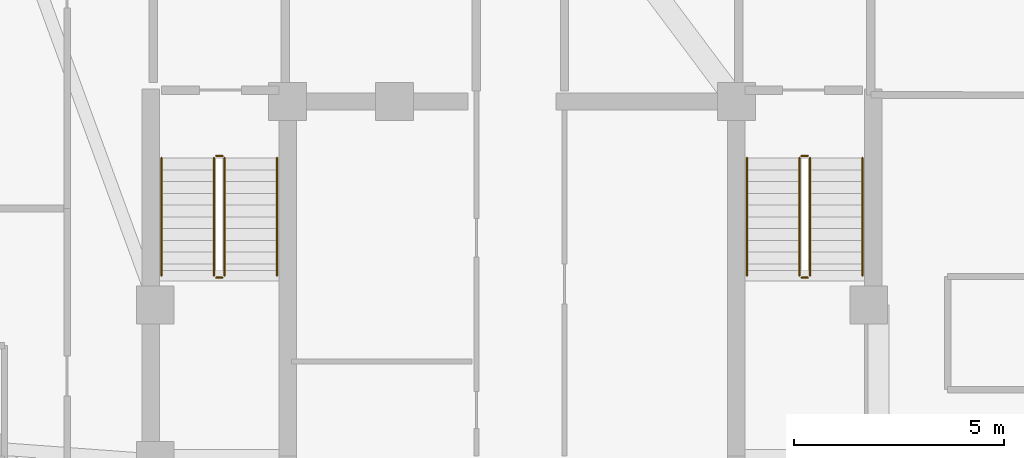
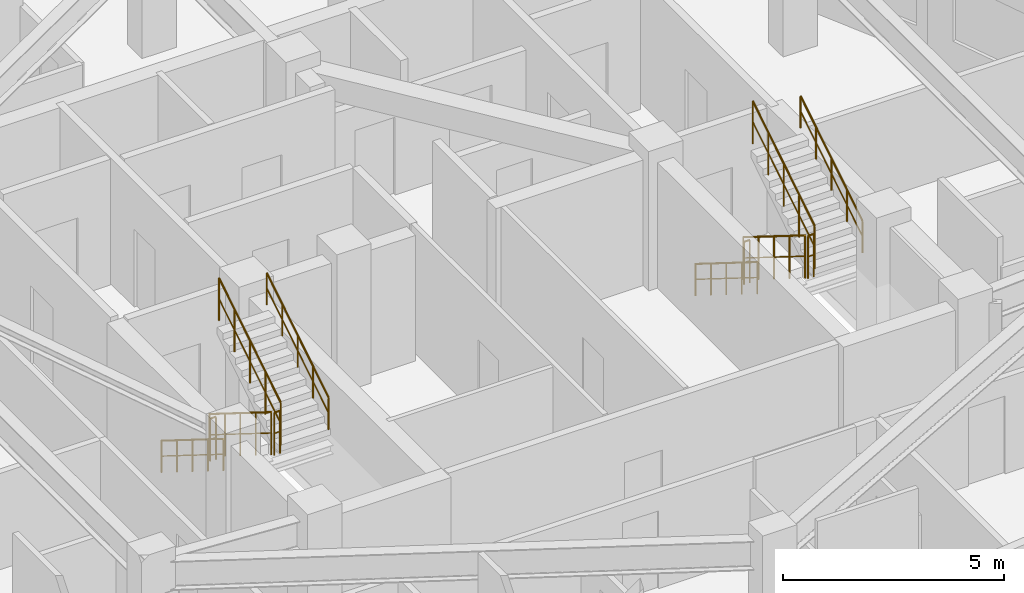
# One storey, part 10 of 10: 12 railings.
"""IFC4 building model written with IfcOpenShell, lengths in metres."""

from ifc_helpers import new_model, si_unit, direction, frame, origin, origin_2d, place, context, subcontext, project, spatial, circle, extrude, material, type_object, element, save


model = new_model("IFC4")

# Units and contexts
model_context = context("Model", 3, precision=1e-05, world=origin(), true_north=direction((0.0, 1.0)))
body_context = subcontext(model_context, "Body", "Model", "MODEL_VIEW")
ifc_project = project(units=[si_unit("LENGTHUNIT", "METRE"), si_unit("AREAUNIT", "SQUARE_METRE"), si_unit("VOLUMEUNIT", "CUBIC_METRE"), si_unit("PLANEANGLEUNIT", "RADIAN"), si_unit("MASSUNIT", "GRAM", prefix="KILO")], contexts=[model_context])

# Site, building, storey
site_placement = place(None, origin())
site = spatial("IfcSite", under=ifc_project, at=site_placement, CompositionType="ELEMENT")
building_placement = place(site_placement, origin())
building = spatial("IfcBuilding", under=site, at=building_placement, Name="Miruveldt Soraemaru", CompositionType="ELEMENT")
storey_placement = place(building_placement, frame((0.0, 0.0, 278.949951171875)))
storey = spatial("IfcBuildingStorey", under=building, at=storey_placement, Name="L76", CompositionType="ELEMENT", Elevation=278.949951171875)

# Railings
ifc_material = material(Name="Steel S355 (355 MPa)", Category="steel")
railing_type_1 = type_object("IfcRailingType", Name="RAIL-HR-900", PredefinedType="HANDRAIL", material=ifc_material)
railing_1_placement = place(storey_placement, frame((35.64990234375, 42.699951171875, 0.175048828125)))
element("IfcRailing", 1, at=railing_1_placement, inside=storey, type_object=railing_type_1, Name="L76 ST-1 stair handrail 1", PredefinedType="HANDRAIL", context=body_context, shape_type="SweptSolid", body=[
    extrude(circle(Radius=0.02392578125, at=origin_2d()), frame((0.0, 0.0, 0.8759765625), z_axis=(0.0, -0.848002457836, 0.529992293815), x_axis=(1.0, 0.0, 0.0)), (0.0, 0.0, 1.0), 3.302001953125),
    extrude(circle(Radius=0.01611328125, at=origin_2d()), frame((0.0, 0.0, 0.449951171875), z_axis=(0.0, -0.848002457836, 0.529992293815), x_axis=(1.0, 0.0, 0.0)), (0.0, 0.0, 1.0), 3.302001953125),
    extrude(circle(Radius=0.02099609375, at=origin_2d()), origin(), (0.0, 0.0, 1.0), 0.851806640625),
    extrude(circle(Radius=0.02099609375, at=origin_2d()), frame((0.0, -0.699951171875, 0.4375)), (0.0, 0.0, 1.0), 0.851806640625),
    extrude(circle(Radius=0.02099609375, at=origin_2d()), frame((0.0, -1.39990234375, 0.875)), (0.0, 0.0, 1.0), 0.851806640625),
    extrude(circle(Radius=0.02099609375, at=origin_2d()), frame((0.0, -2.10009765625, 1.3125)), (0.0, 0.0, 1.0), 0.851806640625),
    extrude(circle(Radius=0.02099609375, at=origin_2d()), frame((0.0, -2.800048828125, 1.75)), (0.0, 0.0, 1.0), 0.851806640625),
])
railing_2_placement = place(storey_placement, frame((38.39990234375, 39.89990234375, 2.10009765625)))
element("IfcRailing", 2, at=railing_2_placement, inside=storey, type_object=railing_type_1, Name="L76 ST-1 stair handrail 2", PredefinedType="HANDRAIL", context=body_context, shape_type="SweptSolid", body=[
    extrude(circle(Radius=0.02392578125, at=origin_2d()), frame((0.0, 0.0, 0.8759765625), z_axis=(0.0, 0.848002457836, 0.529992293815), x_axis=(-1.0, 0.0, 0.0)), (0.0, 0.0, 1.0), 3.302001953125),
    extrude(circle(Radius=0.01611328125, at=origin_2d()), frame((0.0, 0.0, 0.449951171875), z_axis=(0.0, 0.848002457836, 0.529992293815), x_axis=(-1.0, 0.0, 0.0)), (0.0, 0.0, 1.0), 3.302001953125),
    extrude(circle(Radius=0.02099609375, at=origin_2d()), origin(), (0.0, 0.0, 1.0), 0.851806640625),
    extrude(circle(Radius=0.02099609375, at=origin_2d()), frame((0.0, 0.699951171875, 0.4375)), (0.0, 0.0, 1.0), 0.851806640625),
    extrude(circle(Radius=0.02099609375, at=origin_2d()), frame((0.0, 1.39990234375, 0.875)), (0.0, 0.0, 1.0), 0.851806640625),
    extrude(circle(Radius=0.02099609375, at=origin_2d()), frame((0.0, 2.10009765625, 1.3125)), (0.0, 0.0, 1.0), 0.851806640625),
    extrude(circle(Radius=0.02099609375, at=origin_2d()), frame((0.0, 2.800048828125, 1.75)), (0.0, 0.0, 1.0), 0.851806640625),
])
railing_3_placement = place(storey_placement, frame((49.60009765625, 42.699951171875, 0.175048828125)))
element("IfcRailing", 3, at=railing_3_placement, inside=storey, type_object=railing_type_1, Name="L76 ST-2 stair handrail 1", PredefinedType="HANDRAIL", context=body_context, shape_type="SweptSolid", body=[
    extrude(circle(Radius=0.02392578125, at=origin_2d()), frame((0.0, 0.0, 0.8759765625), z_axis=(0.0, -0.848002457836, 0.529992293815), x_axis=(1.0, 0.0, 0.0)), (0.0, 0.0, 1.0), 3.302001953125),
    extrude(circle(Radius=0.01611328125, at=origin_2d()), frame((0.0, 0.0, 0.449951171875), z_axis=(0.0, -0.848002457836, 0.529992293815), x_axis=(1.0, 0.0, 0.0)), (0.0, 0.0, 1.0), 3.302001953125),
    extrude(circle(Radius=0.02099609375, at=origin_2d()), origin(), (0.0, 0.0, 1.0), 0.851806640625),
    extrude(circle(Radius=0.02099609375, at=origin_2d()), frame((0.0, -0.699951171875, 0.4375)), (0.0, 0.0, 1.0), 0.851806640625),
    extrude(circle(Radius=0.02099609375, at=origin_2d()), frame((0.0, -1.39990234375, 0.875)), (0.0, 0.0, 1.0), 0.851806640625),
    extrude(circle(Radius=0.02099609375, at=origin_2d()), frame((0.0, -2.10009765625, 1.3125)), (0.0, 0.0, 1.0), 0.851806640625),
    extrude(circle(Radius=0.02099609375, at=origin_2d()), frame((0.0, -2.800048828125, 1.75)), (0.0, 0.0, 1.0), 0.851806640625),
])
railing_4_placement = place(storey_placement, frame((52.35009765625, 39.89990234375, 2.10009765625)))
element("IfcRailing", 4, at=railing_4_placement, inside=storey, type_object=railing_type_1, Name="L76 ST-2 stair handrail 2", PredefinedType="HANDRAIL", context=body_context, shape_type="SweptSolid", body=[
    extrude(circle(Radius=0.02392578125, at=origin_2d()), frame((0.0, 0.0, 0.8759765625), z_axis=(0.0, 0.848002457836, 0.529992293815), x_axis=(-1.0, 0.0, 0.0)), (0.0, 0.0, 1.0), 3.302001953125),
    extrude(circle(Radius=0.01611328125, at=origin_2d()), frame((0.0, 0.0, 0.449951171875), z_axis=(0.0, 0.848002457836, 0.529992293815), x_axis=(-1.0, 0.0, 0.0)), (0.0, 0.0, 1.0), 3.302001953125),
    extrude(circle(Radius=0.02099609375, at=origin_2d()), origin(), (0.0, 0.0, 1.0), 0.851806640625),
    extrude(circle(Radius=0.02099609375, at=origin_2d()), frame((0.0, 0.699951171875, 0.4375)), (0.0, 0.0, 1.0), 0.851806640625),
    extrude(circle(Radius=0.02099609375, at=origin_2d()), frame((0.0, 1.39990234375, 0.875)), (0.0, 0.0, 1.0), 0.851806640625),
    extrude(circle(Radius=0.02099609375, at=origin_2d()), frame((0.0, 2.10009765625, 1.3125)), (0.0, 0.0, 1.0), 0.851806640625),
    extrude(circle(Radius=0.02099609375, at=origin_2d()), frame((0.0, 2.800048828125, 1.75)), (0.0, 0.0, 1.0), 0.851806640625),
])
railing_type_2 = type_object("IfcRailingType", Name="RAIL-STGUARD-1200", PredefinedType="GUARDRAIL", material=ifc_material)
railing_5_placement = place(storey_placement, frame((36.89990234375, 42.699951171875, 0.175048828125)))
element("IfcRailing", 5, at=railing_5_placement, inside=storey, type_object=railing_type_2, Name="L76 ST-1 stair guard 1", PredefinedType="GUARDRAIL", context=body_context, shape_type="SweptSolid", body=[
    extrude(circle(Radius=0.02392578125, at=origin_2d()), frame((0.0, 0.0, 1.17578125), z_axis=(0.0, -0.848002457836, 0.529992293815), x_axis=(1.0, 0.0, 0.0)), (0.0, 0.0, 1.0), 3.302001953125),
    extrude(circle(Radius=0.01611328125, at=origin_2d()), frame((0.0, 0.0, 0.60009765625), z_axis=(0.0, -0.848002457836, 0.529992293815), x_axis=(1.0, 0.0, 0.0)), (0.0, 0.0, 1.0), 3.302001953125),
    extrude(circle(Radius=0.02099609375, at=origin_2d()), origin(), (0.0, 0.0, 1.0), 1.15185546875),
    extrude(circle(Radius=0.02099609375, at=origin_2d()), frame((0.0, -0.699951171875, 0.4375)), (0.0, 0.0, 1.0), 1.15185546875),
    extrude(circle(Radius=0.02099609375, at=origin_2d()), frame((0.0, -1.39990234375, 0.875)), (0.0, 0.0, 1.0), 1.15185546875),
    extrude(circle(Radius=0.02099609375, at=origin_2d()), frame((0.0, -2.10009765625, 1.3125)), (0.0, 0.0, 1.0), 1.15185546875),
    extrude(circle(Radius=0.02099609375, at=origin_2d()), frame((0.0, -2.800048828125, 1.75)), (0.0, 0.0, 1.0), 1.15185546875),
])
railing_6_placement = place(storey_placement, frame((36.949951171875, 39.85009765625, 1.925048828125)))
element("IfcRailing", 6, at=railing_6_placement, inside=storey, type_object=railing_type_2, Name="L76 ST-1 stair guard 2", PredefinedType="GUARDRAIL", context=body_context, shape_type="SweptSolid", body=[
    extrude(circle(Radius=0.02392578125, at=origin_2d()), frame((0.0, 0.0, 1.17578125), z_axis=(1.0, 0.0, 0.0), x_axis=(0.0, 1.0, 0.0)), (0.0, 0.0, 1.0), 0.150146484375),
    extrude(circle(Radius=0.01611328125, at=origin_2d()), frame((0.0, 0.0, 0.60009765625), z_axis=(1.0, 0.0, 0.0), x_axis=(0.0, 1.0, 0.0)), (0.0, 0.0, 1.0), 0.150146484375),
    extrude(circle(Radius=0.02099609375, at=origin_2d()), origin(), (0.0, 0.0, 1.0), 1.15185546875),
    extrude(circle(Radius=0.02099609375, at=origin_2d()), frame((0.150146484375, 0.0, 0.0)), (0.0, 0.0, 1.0), 1.15185546875),
])
railing_7_placement = place(storey_placement, frame((37.14990234375, 39.89990234375, 2.10009765625)))
element("IfcRailing", 7, at=railing_7_placement, inside=storey, type_object=railing_type_2, Name="L76 ST-1 stair guard 3", PredefinedType="GUARDRAIL", context=body_context, shape_type="SweptSolid", body=[
    extrude(circle(Radius=0.02392578125, at=origin_2d()), frame((0.0, 0.0, 1.17578125), z_axis=(0.0, 0.848002457836, 0.529992293815), x_axis=(-1.0, 0.0, 0.0)), (0.0, 0.0, 1.0), 3.302001953125),
    extrude(circle(Radius=0.01611328125, at=origin_2d()), frame((0.0, 0.0, 0.60009765625), z_axis=(0.0, 0.848002457836, 0.529992293815), x_axis=(-1.0, 0.0, 0.0)), (0.0, 0.0, 1.0), 3.302001953125),
    extrude(circle(Radius=0.02099609375, at=origin_2d()), origin(), (0.0, 0.0, 1.0), 1.15185546875),
    extrude(circle(Radius=0.02099609375, at=origin_2d()), frame((0.0, 0.699951171875, 0.4375)), (0.0, 0.0, 1.0), 1.15185546875),
    extrude(circle(Radius=0.02099609375, at=origin_2d()), frame((0.0, 1.39990234375, 0.875)), (0.0, 0.0, 1.0), 1.15185546875),
    extrude(circle(Radius=0.02099609375, at=origin_2d()), frame((0.0, 2.10009765625, 1.3125)), (0.0, 0.0, 1.0), 1.15185546875),
    extrude(circle(Radius=0.02099609375, at=origin_2d()), frame((0.0, 2.800048828125, 1.75)), (0.0, 0.0, 1.0), 1.15185546875),
])
railing_8_placement = place(storey_placement, frame((36.949951171875, 42.75, 0.0)))
element("IfcRailing", 8, at=railing_8_placement, inside=storey, type_object=railing_type_2, Name="L76 ST-1 stair guard 4", PredefinedType="GUARDRAIL", context=body_context, shape_type="SweptSolid", body=[
    extrude(circle(Radius=0.02392578125, at=origin_2d()), frame((0.0, 0.0, 1.17578125), z_axis=(1.0, 0.0, 0.0), x_axis=(0.0, 1.0, 0.0)), (0.0, 0.0, 1.0), 0.150146484375),
    extrude(circle(Radius=0.01611328125, at=origin_2d()), frame((0.0, 0.0, 0.60009765625), z_axis=(1.0, 0.0, 0.0), x_axis=(0.0, 1.0, 0.0)), (0.0, 0.0, 1.0), 0.150146484375),
    extrude(circle(Radius=0.02099609375, at=origin_2d()), origin(), (0.0, 0.0, 1.0), 1.15185546875),
    extrude(circle(Radius=0.02099609375, at=origin_2d()), frame((0.150146484375, 0.0, 0.0)), (0.0, 0.0, 1.0), 1.15185546875),
])
railing_9_placement = place(storey_placement, frame((50.85009765625, 42.699951171875, 0.175048828125)))
element("IfcRailing", 9, at=railing_9_placement, inside=storey, type_object=railing_type_2, Name="L76 ST-2 stair guard 1", PredefinedType="GUARDRAIL", context=body_context, shape_type="SweptSolid", body=[
    extrude(circle(Radius=0.02392578125, at=origin_2d()), frame((0.0, 0.0, 1.17578125), z_axis=(0.0, -0.848002457836, 0.529992293815), x_axis=(1.0, 0.0, 0.0)), (0.0, 0.0, 1.0), 3.302001953125),
    extrude(circle(Radius=0.01611328125, at=origin_2d()), frame((0.0, 0.0, 0.60009765625), z_axis=(0.0, -0.848002457836, 0.529992293815), x_axis=(1.0, 0.0, 0.0)), (0.0, 0.0, 1.0), 3.302001953125),
    extrude(circle(Radius=0.02099609375, at=origin_2d()), origin(), (0.0, 0.0, 1.0), 1.15185546875),
    extrude(circle(Radius=0.02099609375, at=origin_2d()), frame((0.0, -0.699951171875, 0.4375)), (0.0, 0.0, 1.0), 1.15185546875),
    extrude(circle(Radius=0.02099609375, at=origin_2d()), frame((0.0, -1.39990234375, 0.875)), (0.0, 0.0, 1.0), 1.15185546875),
    extrude(circle(Radius=0.02099609375, at=origin_2d()), frame((0.0, -2.10009765625, 1.3125)), (0.0, 0.0, 1.0), 1.15185546875),
    extrude(circle(Radius=0.02099609375, at=origin_2d()), frame((0.0, -2.800048828125, 1.75)), (0.0, 0.0, 1.0), 1.15185546875),
])
railing_10_placement = place(storey_placement, frame((50.89990234375, 39.85009765625, 1.925048828125)))
element("IfcRailing", 10, at=railing_10_placement, inside=storey, type_object=railing_type_2, Name="L76 ST-2 stair guard 2", PredefinedType="GUARDRAIL", context=body_context, shape_type="SweptSolid", body=[
    extrude(circle(Radius=0.02392578125, at=origin_2d()), frame((0.0, 0.0, 1.17578125), z_axis=(1.0, 0.0, 0.0), x_axis=(0.0, 1.0, 0.0)), (0.0, 0.0, 1.0), 0.150146484375),
    extrude(circle(Radius=0.01611328125, at=origin_2d()), frame((0.0, 0.0, 0.60009765625), z_axis=(1.0, 0.0, 0.0), x_axis=(0.0, 1.0, 0.0)), (0.0, 0.0, 1.0), 0.150146484375),
    extrude(circle(Radius=0.02099609375, at=origin_2d()), origin(), (0.0, 0.0, 1.0), 1.15185546875),
    extrude(circle(Radius=0.02099609375, at=origin_2d()), frame((0.150146484375, 0.0, 0.0)), (0.0, 0.0, 1.0), 1.15185546875),
])
railing_11_placement = place(storey_placement, frame((51.10009765625, 39.89990234375, 2.10009765625)))
element("IfcRailing", 11, at=railing_11_placement, inside=storey, type_object=railing_type_2, Name="L76 ST-2 stair guard 3", PredefinedType="GUARDRAIL", context=body_context, shape_type="SweptSolid", body=[
    extrude(circle(Radius=0.02392578125, at=origin_2d()), frame((0.0, 0.0, 1.17578125), z_axis=(0.0, 0.848002457836, 0.529992293815), x_axis=(-1.0, 0.0, 0.0)), (0.0, 0.0, 1.0), 3.302001953125),
    extrude(circle(Radius=0.01611328125, at=origin_2d()), frame((0.0, 0.0, 0.60009765625), z_axis=(0.0, 0.848002457836, 0.529992293815), x_axis=(-1.0, 0.0, 0.0)), (0.0, 0.0, 1.0), 3.302001953125),
    extrude(circle(Radius=0.02099609375, at=origin_2d()), origin(), (0.0, 0.0, 1.0), 1.15185546875),
    extrude(circle(Radius=0.02099609375, at=origin_2d()), frame((0.0, 0.699951171875, 0.4375)), (0.0, 0.0, 1.0), 1.15185546875),
    extrude(circle(Radius=0.02099609375, at=origin_2d()), frame((0.0, 1.39990234375, 0.875)), (0.0, 0.0, 1.0), 1.15185546875),
    extrude(circle(Radius=0.02099609375, at=origin_2d()), frame((0.0, 2.10009765625, 1.3125)), (0.0, 0.0, 1.0), 1.15185546875),
    extrude(circle(Radius=0.02099609375, at=origin_2d()), frame((0.0, 2.800048828125, 1.75)), (0.0, 0.0, 1.0), 1.15185546875),
])
railing_12_placement = place(storey_placement, frame((50.89990234375, 42.75, 0.0)))
element("IfcRailing", 12, at=railing_12_placement, inside=storey, type_object=railing_type_2, Name="L76 ST-2 stair guard 4", PredefinedType="GUARDRAIL", context=body_context, shape_type="SweptSolid", body=[
    extrude(circle(Radius=0.02392578125, at=origin_2d()), frame((0.0, 0.0, 1.17578125), z_axis=(1.0, 0.0, 0.0), x_axis=(0.0, 1.0, 0.0)), (0.0, 0.0, 1.0), 0.150146484375),
    extrude(circle(Radius=0.01611328125, at=origin_2d()), frame((0.0, 0.0, 0.60009765625), z_axis=(1.0, 0.0, 0.0), x_axis=(0.0, 1.0, 0.0)), (0.0, 0.0, 1.0), 0.150146484375),
    extrude(circle(Radius=0.02099609375, at=origin_2d()), origin(), (0.0, 0.0, 1.0), 1.15185546875),
    extrude(circle(Radius=0.02099609375, at=origin_2d()), frame((0.150146484375, 0.0, 0.0)), (0.0, 0.0, 1.0), 1.15185546875),
])

save(model, "model.ifc")
